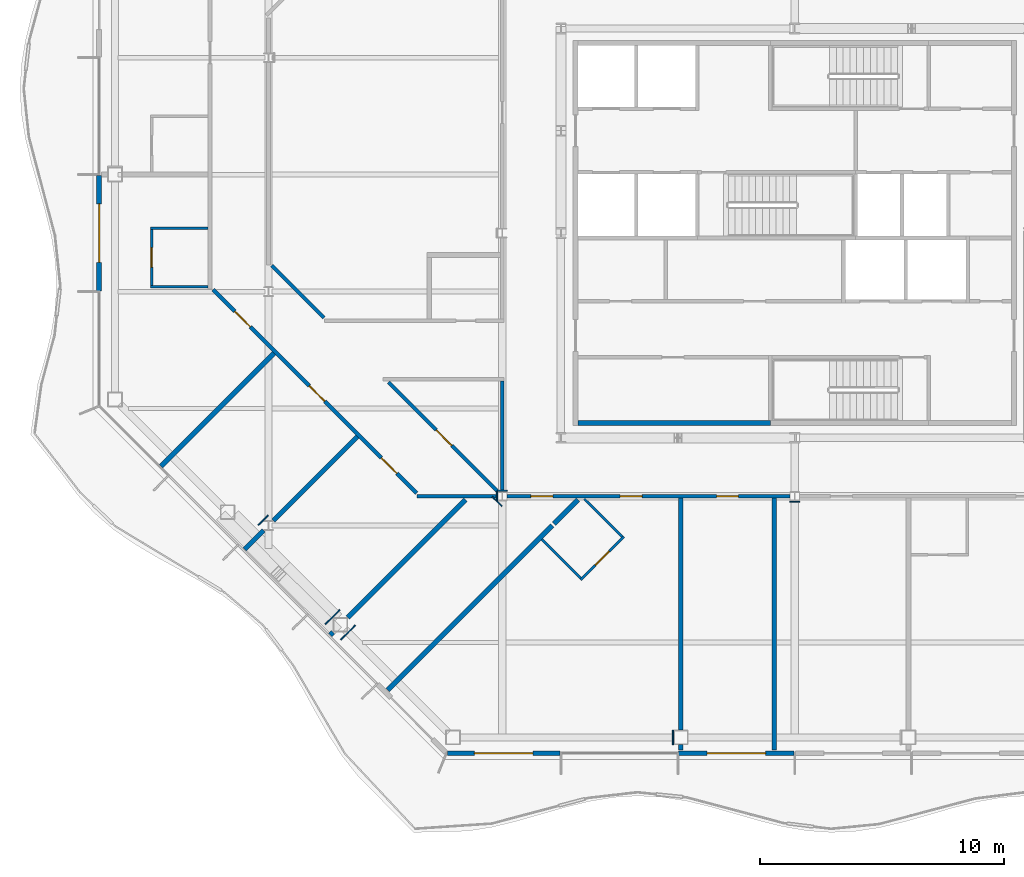
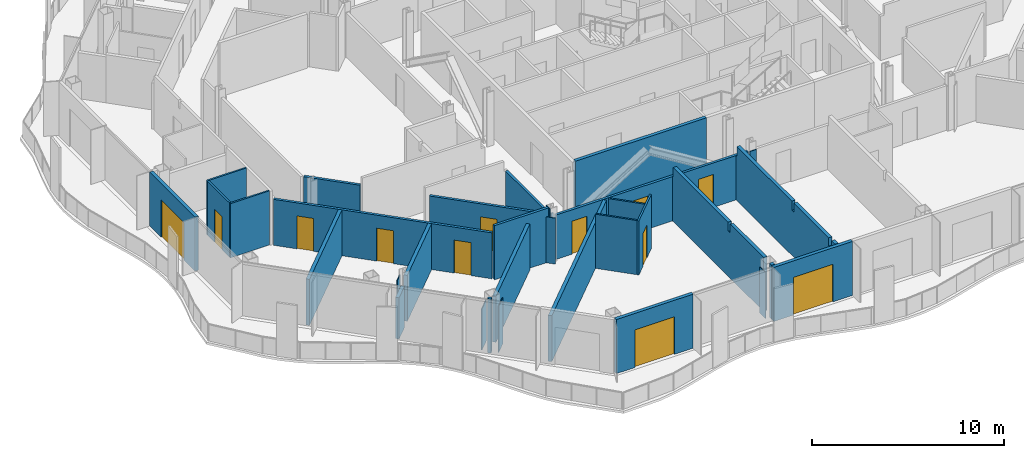
# One storey, part 7 of 21: 34 walls, 12 doors, 12 openings.
"""IFC4 building model written with IfcOpenShell, lengths in metres."""

from ifc_helpers import new_model, si_unit, direction, frame, frame_2d, origin, place, context, subcontext, project, spatial, polyline, rectangle, outline, extrude, material, layer, layer_set, type_object, element, fill, save


model = new_model("IFC4")

# Units and contexts
model_context = context("Model", 3, precision=1e-05, world=origin(), true_north=direction((0.0, 1.0)))
body_context = subcontext(model_context, "Body", "Model", "MODEL_VIEW")
ifc_project = project(units=[si_unit("LENGTHUNIT", "METRE"), si_unit("AREAUNIT", "SQUARE_METRE"), si_unit("VOLUMEUNIT", "CUBIC_METRE"), si_unit("PLANEANGLEUNIT", "RADIAN"), si_unit("MASSUNIT", "GRAM", prefix="KILO")], contexts=[model_context])

# Site, building, storey
site_placement = place(None, origin())
site = spatial("IfcSite", under=ifc_project, at=site_placement, CompositionType="ELEMENT")
building_placement = place(site_placement, origin())
building = spatial("IfcBuilding", under=site, at=building_placement, Name="Cairn Pilgrim Tower", CompositionType="ELEMENT")
storey_placement = place(building_placement, frame((0.0, 0.0, 168.60009765625)))
storey = spatial("IfcBuildingStorey", under=building, at=storey_placement, Name="L42", CompositionType="ELEMENT", Elevation=168.60009765625)

# Wall, opening, door
ifc_material_1 = material(Name="Bronze anodised aluminium insulated sandwich panel with mineral wool fill", Category="aluminium")
ifc_layer_1 = layer(ifc_material_1, 0.199951171875)
ifc_layer_set_1 = layer_set([ifc_layer_1], Name="BRONZE INFILL FRAME WALL 200")
wall_type_1 = type_object("IfcWallType", Name="BRONZE INFILL FRAME WALL 200", PredefinedType="NOTDEFINED", material=ifc_layer_set_1)
wall_1_placement = place(storey_placement, frame((-7.056396484375, -18.949951171875, 0.0), z_axis=(0.0, 0.0, 1.0), x_axis=(1.0, 0.0, 0.0)))
wall_1 = element("IfcWall", 1, at=wall_1_placement, inside=storey, type_object=wall_type_1, Name="Bronze infill frame wall IW-S1", PredefinedType="NOTDEFINED", context=body_context, shape_type="SweptSolid", body=[
    extrude(rectangle(XDim=4.62646484375, YDim=0.199951171875, at=frame_2d((2.313232421875, 0.0))), origin(), (0.0, 0.0, 1.0), 3.449951171875),
])
opening_1_placement = place(wall_1_placement, frame((1.1083984375, 0.0, 0.0)))
opening_1 = element("IfcOpeningElement", 2, at=opening_1_placement, cuts=wall_1, Name="Opening 4223B", PredefinedType="OPENING", context=body_context, shape_type="SweptSolid", body=[
    extrude(rectangle(XDim=2.39990234375, YDim=2.39990234375, at=frame_2d((1.199951171875, 1.199951171875))), frame((0.0, 0.10986328125, 0.0), z_axis=(0.0, -1.0, 0.0), x_axis=(1.0, 0.0, 0.0)), (0.0, 0.0, 1.0), 0.219970703125),
])
ifc_material_2 = material(Name="Bronze anodised aluminium frame with tinted low-E glass", Category="aluminium")
door_type_1 = type_object("IfcDoorType", Name="BALCONY SLIDING DOOR 2400x2400", OperationType="DOUBLE_DOOR_SLIDING", PredefinedType="DOOR", material=ifc_material_2)
door_1_placement = place(opening_1_placement, origin())
door_1 = element("IfcDoor", 3, at=door_1_placement, inside=storey, type_object=door_type_1, Name="Balcony sliding door 4223B", OperationType="SINGLE_SWING_LEFT", OverallHeight=2.39990234375, OverallWidth=2.39990234375, PredefinedType="DOOR", context=body_context, shape_type="SweptSolid", body=[
    extrude(rectangle(XDim=2.39990234375, YDim=2.39990234375, at=frame_2d((1.199951171875, 1.199951171875))), frame((0.0, 0.02490234375, 0.0), z_axis=(0.0, -1.0, 0.0), x_axis=(1.0, 0.0, 0.0)), (0.0, 0.0, 1.0), 0.050048828125),
])
fill(opening_1, door_1)

wall_2_placement = place(storey_placement, frame((2.429931640625, -18.949951171875, 0.0), z_axis=(0.0, 0.0, 1.0), x_axis=(1.0, 0.0, 0.0)))
wall_2 = element("IfcWall", 4, at=wall_2_placement, inside=storey, type_object=wall_type_1, Name="Bronze infill frame wall IW-S3", PredefinedType="NOTDEFINED", context=body_context, shape_type="SweptSolid", body=[
    extrude(rectangle(XDim=4.739990234375, YDim=0.199951171875, at=frame_2d((2.3701171875, 0.0))), origin(), (0.0, 0.0, 1.0), 3.449951171875),
])
opening_2_placement = place(wall_2_placement, frame((1.17041015625, 0.0, 0.0)))
opening_2 = element("IfcOpeningElement", 5, at=opening_2_placement, cuts=wall_2, Name="Opening 4224B", PredefinedType="OPENING", context=body_context, shape_type="SweptSolid", body=[
    extrude(rectangle(XDim=2.39990234375, YDim=2.39990234375, at=frame_2d((1.199951171875, 1.199951171875))), frame((0.0, 0.10986328125, 0.0), z_axis=(0.0, -1.0, 0.0), x_axis=(1.0, 0.0, 0.0)), (0.0, 0.0, 1.0), 0.219970703125),
])
door_2_placement = place(opening_2_placement, origin())
door_2 = element("IfcDoor", 6, at=door_2_placement, inside=storey, type_object=door_type_1, Name="Balcony sliding door 4224B", OperationType="SINGLE_SWING_LEFT", OverallHeight=2.39990234375, OverallWidth=2.39990234375, PredefinedType="DOOR", context=body_context, shape_type="SweptSolid", body=[
    extrude(rectangle(XDim=2.39990234375, YDim=2.39990234375, at=frame_2d((1.199951171875, 1.199951171875))), frame((0.0, 0.02490234375, 0.0), z_axis=(0.0, -1.0, 0.0), x_axis=(1.0, 0.0, 0.0)), (0.0, 0.0, 1.0), 0.050048828125),
])
fill(opening_2, door_2)

wall_3_placement = place(storey_placement, frame((-21.35009765625, 4.77001953125, 0.0), z_axis=(0.0, 0.0, 1.0), x_axis=(0.0, -1.0, 0.0)))
wall_3 = element("IfcWall", 7, at=wall_3_placement, inside=storey, type_object=wall_type_1, Name="Bronze infill frame wall IW-W3", PredefinedType="NOTDEFINED", context=body_context, shape_type="SweptSolid", body=[
    extrude(rectangle(XDim=4.739990234375, YDim=0.199951171875, at=frame_2d((2.3701171875, 0.0))), origin(), (0.0, 0.0, 1.0), 3.449951171875),
])
opening_3_placement = place(wall_3_placement, frame((1.169921875, 0.0, 0.0)))
opening_3 = element("IfcOpeningElement", 8, at=opening_3_placement, cuts=wall_3, Name="Opening 4219B", PredefinedType="OPENING", context=body_context, shape_type="SweptSolid", body=[
    extrude(rectangle(XDim=2.39990234375, YDim=2.39990234375, at=frame_2d((1.199951171875, 1.199951171875))), frame((0.0, 0.10986328125, 0.0), z_axis=(0.0, -1.0, 0.0), x_axis=(1.0, 0.0, 0.0)), (0.0, 0.0, 1.0), 0.219970703125),
])
door_3_placement = place(opening_3_placement, origin())
door_3 = element("IfcDoor", 9, at=door_3_placement, inside=storey, type_object=door_type_1, Name="Balcony sliding door 4219B", OperationType="SINGLE_SWING_LEFT", OverallHeight=2.39990234375, OverallWidth=2.39990234375, PredefinedType="DOOR", context=body_context, shape_type="SweptSolid", body=[
    extrude(rectangle(XDim=2.39990234375, YDim=2.39990234375, at=frame_2d((1.199951171875, 1.199951171875))), frame((0.0, 0.02490234375, 0.0), z_axis=(0.0, -1.0, 0.0), x_axis=(1.0, 0.0, 0.0)), (0.0, 0.0, 1.0), 0.050048828125),
])
fill(opening_3, door_3)

# Walls
ifc_material_3 = material(Name="Concrete C32/40", Category="concrete")
ifc_layer_2 = layer(ifc_material_3, 0.199951171875)
ifc_layer_set_2 = layer_set([ifc_layer_2], Name="CORE OUTER WALL 200 EI 120")
wall_type_2 = type_object("IfcWallType", Name="CORE OUTER WALL 200 EI 120", PredefinedType="SOLIDWALL", material=ifc_layer_set_2)
wall_4_placement = place(storey_placement, frame((-1.699951171875, -5.39990234375, 0.0), z_axis=(0.0, 0.0, 1.0), x_axis=(1.0, 0.0, 0.0)))
element("IfcWall", 10, at=wall_4_placement, inside=storey, type_object=wall_type_2, Name="CW:L42:H01-1", PredefinedType="SOLIDWALL", context=body_context, shape_type="SweptSolid", body=[
    extrude(rectangle(XDim=7.89990234375, YDim=0.199951171875, at=frame_2d((3.949951171875, 0.0))), origin(), (0.0, 0.0, 1.0), 3.449951171875),
])
ifc_material_4 = material(Name="Gypsum partition")
ifc_layer_3 = layer(ifc_material_4, 0.10009765625)
ifc_layer_set_3 = layer_set([ifc_layer_3], Name="PARTITION 100 DRYWALL")
wall_type_3 = type_object("IfcWallType", Name="PARTITION 100 DRYWALL", PredefinedType="PARTITIONING", material=ifc_layer_set_3)
wall_5_placement = place(storey_placement, frame((-1.58740234375, -11.758544921875, 0.0), z_axis=(0.0, 0.0, 1.0), x_axis=(-0.706889644159, 0.707323851557, 0.0)))
element("IfcWall", 11, at=wall_5_placement, inside=storey, type_object=wall_type_3, Name="PARTITION W011", PredefinedType="PARTITIONING", context=body_context, shape_type="SweptSolid", body=[
    extrude(rectangle(XDim=2.2490234375, YDim=0.10009765625, at=frame_2d((1.12451171875, 0.0))), origin(), (0.0, 0.0, 1.0), 3.449951171875),
])

# Wall, opening, door
wall_6_placement = place(storey_placement, frame((-1.58740234375, -11.829345703125, 0.0), z_axis=(0.0, 0.0, 1.0), x_axis=(0.707350821469, 0.706862656651, 0.0)))
wall_6 = element("IfcWall", 12, at=wall_6_placement, inside=storey, type_object=wall_type_3, Name="PARTITION W012", PredefinedType="PARTITIONING", context=body_context, shape_type="SweptSolid", body=[
    extrude(rectangle(XDim=2.50048828125, YDim=0.10009765625, at=frame_2d((1.250244140625, 0.0))), origin(), (0.0, 0.0, 1.0), 3.449951171875),
])
opening_4_placement = place(wall_6_placement, frame((0.85009765625, 0.0, 0.0)))
opening_4 = element("IfcOpeningElement", 13, at=opening_4_placement, cuts=wall_6, Name="Opening 4223A", PredefinedType="OPENING", context=body_context, shape_type="SweptSolid", body=[
    extrude(rectangle(XDim=0.800048828125, YDim=2.10009765625, at=frame_2d((0.39990234375, 1.050048828125))), frame((0.0, 0.06005859375, 0.0), z_axis=(0.0, -1.0, 0.0), x_axis=(1.0, 0.0, 0.0)), (0.0, 0.0, 1.0), 0.1201171875),
])
ifc_material_5 = material(Name="Timber door leaf", Category="wood")
door_type_2 = type_object("IfcDoorType", Name="WC DOOR 800x2100", OperationType="NOTDEFINED", PredefinedType="DOOR", material=ifc_material_5)
door_4_placement = place(opening_4_placement, frame((0.800048828125, 0.0, 0.0), z_axis=(0.0, 0.0, 1.0), x_axis=(-1.0, 0.0, 0.0)))
door_4 = element("IfcDoor", 14, at=door_4_placement, inside=storey, type_object=door_type_2, Name="DOOR 4223A", OperationType="SINGLE_SWING_RIGHT", OverallHeight=2.10009765625, OverallWidth=0.800048828125, PredefinedType="DOOR", context=body_context, shape_type="SweptSolid", body=[
    extrude(rectangle(XDim=0.800048828125, YDim=2.10009765625, at=frame_2d((0.39990234375, 1.050048828125))), frame((0.0, 0.02490234375, 0.0), z_axis=(0.0, -1.0, 0.0), x_axis=(1.0, 0.0, 0.0)), (0.0, 0.0, 1.0), 0.050048828125),
])
fill(opening_4, door_4)

# Walls
wall_7_placement = place(storey_placement, frame((0.110595703125, -10.0615234375, 0.0), z_axis=(0.0, 0.0, 1.0), x_axis=(-0.70732924673, 0.706884245631, 0.0)))
element("IfcWall", 15, at=wall_7_placement, inside=storey, type_object=wall_type_3, Name="PARTITION W017", PredefinedType="PARTITIONING", context=body_context, shape_type="SweptSolid", body=[
    extrude(rectangle(XDim=2.194580078125, YDim=0.10009765625, at=frame_2d((1.09716796875, 0.0))), origin(), (0.0, 0.0, 1.0), 2.829833984375),
])
wall_8_placement = place(storey_placement, frame((-19.25, 0.2060546875, 0.0), z_axis=(0.0, 0.0, 1.0), x_axis=(1.0, 0.0, 0.0)))
element("IfcWall", 16, at=wall_8_placement, inside=storey, type_object=wall_type_3, Name="PARTITION W045", PredefinedType="PARTITIONING", context=body_context, shape_type="SweptSolid", body=[
    extrude(rectangle(XDim=2.375, YDim=0.10009765625, at=frame_2d((1.1875, 0.0))), origin(), (0.0, 0.0, 1.0), 3.449951171875),
])

# Wall, opening, door
wall_9_placement = place(storey_placement, frame((-19.199951171875, 0.256103515625, 0.0), z_axis=(0.0, 0.0, 1.0), x_axis=(0.0, 1.0, 0.0)))
wall_9 = element("IfcWall", 17, at=wall_9_placement, inside=storey, type_object=wall_type_3, Name="PARTITION W046", PredefinedType="PARTITIONING", context=body_context, shape_type="SweptSolid", body=[
    extrude(rectangle(XDim=2.2998046875, YDim=0.10009765625, at=frame_2d((1.14990234375, 0.0))), origin(), (0.0, 0.0, 1.0), 3.449951171875),
])
opening_5_placement = place(wall_9_placement, frame((0.75, 0.0, 0.0)))
opening_5 = element("IfcOpeningElement", 18, at=opening_5_placement, cuts=wall_9, Name="Opening 4219A", PredefinedType="OPENING", context=body_context, shape_type="SweptSolid", body=[
    extrude(rectangle(XDim=0.800048828125, YDim=2.10009765625, at=frame_2d((0.39990234375, 1.050048828125))), frame((0.0, 0.06005859375, 0.0), z_axis=(0.0, -1.0, 0.0), x_axis=(1.0, 0.0, 0.0)), (0.0, 0.0, 1.0), 0.1201171875),
])
door_5_placement = place(opening_5_placement, origin())
door_5 = element("IfcDoor", 19, at=door_5_placement, inside=storey, type_object=door_type_2, Name="DOOR 4219A", OperationType="SINGLE_SWING_LEFT", OverallHeight=2.10009765625, OverallWidth=0.800048828125, PredefinedType="DOOR", context=body_context, shape_type="SweptSolid", body=[
    extrude(rectangle(XDim=0.800048828125, YDim=2.10009765625, at=frame_2d((0.39990234375, 1.050048828125))), frame((0.0, 0.02490234375, 0.0), z_axis=(0.0, -1.0, 0.0), x_axis=(1.0, 0.0, 0.0)), (0.0, 0.0, 1.0), 0.050048828125),
])
fill(opening_5, door_5)

# Walls
wall_10_placement = place(storey_placement, frame((-19.25, 2.60595703125, 0.0), z_axis=(0.0, 0.0, 1.0), x_axis=(1.0, 0.0, 0.0)))
element("IfcWall", 20, at=wall_10_placement, inside=storey, type_object=wall_type_3, Name="PARTITION W053", PredefinedType="PARTITIONING", context=body_context, shape_type="SweptSolid", body=[
    extrude(rectangle(XDim=2.375, YDim=0.10009765625, at=frame_2d((1.1875, 0.0))), origin(), (0.0, 0.0, 1.0), 3.449951171875),
])
ifc_layer_4 = layer(ifc_material_4, 0.14990234375)
ifc_layer_set_4 = layer_set([ifc_layer_4], Name="PARTITION 150 DRYWALL EI 60")
wall_type_4 = type_object("IfcWallType", Name="PARTITION 150 DRYWALL EI 60", PredefinedType="PARTITIONING", material=ifc_layer_set_4)
wall_11_placement = place(storey_placement, frame((-8.300048828125, -8.39990234375, 0.0), z_axis=(0.0, 0.0, 1.0), x_axis=(1.0, 0.0, 0.0)))
element("IfcWall", 21, at=wall_11_placement, inside=storey, type_object=wall_type_4, Name="PARTITION W022", PredefinedType="PARTITIONING", context=body_context, shape_type="SweptSolid", body=[
    extrude(rectangle(XDim=3.300537109375, YDim=0.14990234375, at=frame_2d((1.650390625, 0.0))), origin(), (0.0, 0.0, 1.0), 3.449951171875),
])

# Wall, openings, doors
wall_12_placement = place(storey_placement, frame((-4.6005859375, -8.39990234375, 0.0), z_axis=(0.0, 0.0, 1.0), x_axis=(1.0, 0.0, 0.0)))
wall_12 = element("IfcWall", 22, at=wall_12_placement, inside=storey, type_object=wall_type_4, Name="PARTITION W023", PredefinedType="PARTITIONING", context=body_context, shape_type="SweptSolid", body=[
    extrude(rectangle(XDim=11.60107421875, YDim=0.14990234375, at=frame_2d((5.800537109375, 0.0))), origin(), (0.0, 0.0, 1.0), 2.829833984375),
])
opening_6_placement = place(wall_12_placement, frame((0.974365234375, 0.0, 0.0)))
opening_6 = element("IfcOpeningElement", 23, at=opening_6_placement, cuts=wall_12, Name="Opening 4222", PredefinedType="OPENING", context=body_context, shape_type="SweptSolid", body=[
    extrude(rectangle(XDim=0.89990234375, YDim=2.10009765625, at=frame_2d((0.449951171875, 1.050048828125))), frame((0.0, 0.0849609375, 0.0), z_axis=(0.0, -1.0, 0.0), x_axis=(1.0, 0.0, 0.0)), (0.0, 0.0, 1.0), 0.169921875),
])
opening_7_placement = place(wall_12_placement, frame((4.636474609375, 0.0, 0.0)))
opening_7 = element("IfcOpeningElement", 24, at=opening_7_placement, cuts=wall_12, Name="Opening 4223", PredefinedType="OPENING", context=body_context, shape_type="SweptSolid", body=[
    extrude(rectangle(XDim=0.89990234375, YDim=2.10009765625, at=frame_2d((0.449951171875, 1.050048828125))), frame((0.0, 0.0849609375, 0.0), z_axis=(0.0, -1.0, 0.0), x_axis=(1.0, 0.0, 0.0)), (0.0, 0.0, 1.0), 0.169921875),
])
opening_8_placement = place(wall_12_placement, frame((8.591552734375, 0.0, 0.0)))
opening_8 = element("IfcOpeningElement", 25, at=opening_8_placement, cuts=wall_12, Name="Opening 4224", PredefinedType="OPENING", context=body_context, shape_type="SweptSolid", body=[
    extrude(rectangle(XDim=0.89990234375, YDim=2.10009765625, at=frame_2d((0.449951171875, 1.050048828125))), frame((0.0, 0.0849609375, 0.0), z_axis=(0.0, -1.0, 0.0), x_axis=(1.0, 0.0, 0.0)), (0.0, 0.0, 1.0), 0.169921875),
])
door_type_3 = type_object("IfcDoorType", Name="ROOM DOOR 900x2100 FD30S", OperationType="NOTDEFINED", PredefinedType="DOOR", material=ifc_material_5)
door_6_placement = place(opening_7_placement, frame((0.89990234375, 0.0, 0.0), z_axis=(0.0, 0.0, 1.0), x_axis=(-1.0, 0.0, 0.0)))
door_6 = element("IfcDoor", 26, at=door_6_placement, inside=storey, type_object=door_type_3, Name="DOOR 4223", OperationType="SINGLE_SWING_RIGHT", OverallHeight=2.10009765625, OverallWidth=0.89990234375, PredefinedType="DOOR", context=body_context, shape_type="SweptSolid", body=[
    extrude(rectangle(XDim=0.89990234375, YDim=2.10009765625, at=frame_2d((0.449951171875, 1.050048828125))), frame((0.0, 0.02490234375, 0.0), z_axis=(0.0, -1.0, 0.0), x_axis=(1.0, 0.0, 0.0)), (0.0, 0.0, 1.0), 0.050048828125),
])
fill(opening_7, door_6)
door_7_placement = place(opening_8_placement, frame((0.89990234375, 0.0, 0.0), z_axis=(0.0, 0.0, 1.0), x_axis=(-1.0, 0.0, 0.0)))
door_7 = element("IfcDoor", 27, at=door_7_placement, inside=storey, type_object=door_type_3, Name="DOOR 4224", OperationType="SINGLE_SWING_RIGHT", OverallHeight=2.10009765625, OverallWidth=0.89990234375, PredefinedType="DOOR", context=body_context, shape_type="SweptSolid", body=[
    extrude(rectangle(XDim=0.89990234375, YDim=2.10009765625, at=frame_2d((0.449951171875, 1.050048828125))), frame((0.0, 0.02490234375, 0.0), z_axis=(0.0, -1.0, 0.0), x_axis=(1.0, 0.0, 0.0)), (0.0, 0.0, 1.0), 0.050048828125),
])
fill(opening_8, door_7)
door_type_4 = type_object("IfcDoorType", Name="SERVICE DOOR 900x2100 FD30S", OperationType="NOTDEFINED", PredefinedType="DOOR", material=ifc_material_5)
door_8_placement = place(opening_6_placement, frame((0.89990234375, 0.0, 0.0), z_axis=(0.0, 0.0, 1.0), x_axis=(-1.0, 0.0, 0.0)))
door_8 = element("IfcDoor", 28, at=door_8_placement, inside=storey, type_object=door_type_4, Name="DOOR 4222", OperationType="SINGLE_SWING_RIGHT", OverallHeight=2.10009765625, OverallWidth=0.89990234375, PredefinedType="DOOR", context=body_context, shape_type="SweptSolid", body=[
    extrude(rectangle(XDim=0.89990234375, YDim=2.10009765625, at=frame_2d((0.449951171875, 1.050048828125))), frame((0.0, 0.02490234375, 0.0), z_axis=(0.0, -1.0, 0.0), x_axis=(1.0, 0.0, 0.0)), (0.0, 0.0, 1.0), 0.050048828125),
])
fill(opening_6, door_8)

wall_13_placement = place(storey_placement, frame((-8.322021484375, -8.27197265625, 0.0), z_axis=(0.0, 0.0, 1.0), x_axis=(-0.707117118476, 0.707096443746, 0.0)))
wall_13 = element("IfcWall", 29, at=wall_13_placement, inside=storey, type_object=wall_type_4, Name="PARTITION W026", PredefinedType="PARTITIONING", context=body_context, shape_type="SweptSolid", body=[
    extrude(rectangle(XDim=11.80859375, YDim=0.14990234375, at=frame_2d((5.904296875, 0.0))), origin(), (0.0, 0.0, 1.0), 2.929931640625),
])
opening_9_placement = place(wall_13_placement, frame((9.64501953125, 0.0, 0.0)))
opening_9 = element("IfcOpeningElement", 30, at=opening_9_placement, cuts=wall_13, Name="Opening 4219", PredefinedType="OPENING", context=body_context, shape_type="SweptSolid", body=[
    extrude(rectangle(XDim=0.89990234375, YDim=2.10009765625, at=frame_2d((0.449951171875, 1.050048828125))), frame((0.0, 0.0849609375, 0.0), z_axis=(0.0, -1.0, 0.0), x_axis=(1.0, 0.0, 0.0)), (0.0, 0.0, 1.0), 0.169921875),
])
opening_10_placement = place(wall_13_placement, frame((5.32958984375, 0.0, 0.0)))
opening_10 = element("IfcOpeningElement", 31, at=opening_10_placement, cuts=wall_13, Name="Opening 4220", PredefinedType="OPENING", context=body_context, shape_type="SweptSolid", body=[
    extrude(rectangle(XDim=0.89990234375, YDim=2.10009765625, at=frame_2d((0.449951171875, 1.050048828125))), frame((0.0, 0.0849609375, 0.0), z_axis=(0.0, -1.0, 0.0), x_axis=(1.0, 0.0, 0.0)), (0.0, 0.0, 1.0), 0.169921875),
])
opening_11_placement = place(wall_13_placement, frame((1.138916015625, 0.0, 0.0)))
opening_11 = element("IfcOpeningElement", 32, at=opening_11_placement, cuts=wall_13, Name="Opening 4221", PredefinedType="OPENING", context=body_context, shape_type="SweptSolid", body=[
    extrude(rectangle(XDim=0.89990234375, YDim=2.10009765625, at=frame_2d((0.449951171875, 1.050048828125))), frame((0.0, 0.0849609375, 0.0), z_axis=(0.0, -1.0, 0.0), x_axis=(1.0, 0.0, 0.0)), (0.0, 0.0, 1.0), 0.169921875),
])
door_9_placement = place(opening_9_placement, origin())
door_9 = element("IfcDoor", 33, at=door_9_placement, inside=storey, type_object=door_type_3, Name="DOOR 4219", OperationType="SINGLE_SWING_LEFT", OverallHeight=2.10009765625, OverallWidth=0.89990234375, PredefinedType="DOOR", context=body_context, shape_type="SweptSolid", body=[
    extrude(rectangle(XDim=0.89990234375, YDim=2.10009765625, at=frame_2d((0.449951171875, 1.050048828125))), frame((0.0, 0.02490234375, 0.0), z_axis=(0.0, -1.0, 0.0), x_axis=(1.0, 0.0, 0.0)), (0.0, 0.0, 1.0), 0.050048828125),
])
fill(opening_9, door_9)
door_10_placement = place(opening_10_placement, origin())
door_10 = element("IfcDoor", 34, at=door_10_placement, inside=storey, type_object=door_type_4, Name="DOOR 4220", OperationType="SINGLE_SWING_RIGHT", OverallHeight=2.10009765625, OverallWidth=0.89990234375, PredefinedType="DOOR", context=body_context, shape_type="SweptSolid", body=[
    extrude(rectangle(XDim=0.89990234375, YDim=2.10009765625, at=frame_2d((0.449951171875, 1.050048828125))), frame((0.0, 0.02490234375, 0.0), z_axis=(0.0, -1.0, 0.0), x_axis=(1.0, 0.0, 0.0)), (0.0, 0.0, 1.0), 0.050048828125),
])
fill(opening_10, door_10)
door_11_placement = place(opening_11_placement, origin())
door_11 = element("IfcDoor", 35, at=door_11_placement, inside=storey, type_object=door_type_4, Name="DOOR 4221", OperationType="SINGLE_SWING_RIGHT", OverallHeight=2.10009765625, OverallWidth=0.89990234375, PredefinedType="DOOR", context=body_context, shape_type="SweptSolid", body=[
    extrude(rectangle(XDim=0.89990234375, YDim=2.10009765625, at=frame_2d((0.449951171875, 1.050048828125))), frame((0.0, 0.02490234375, 0.0), z_axis=(0.0, -1.0, 0.0), x_axis=(1.0, 0.0, 0.0)), (0.0, 0.0, 1.0), 0.050048828125),
])
fill(opening_11, door_11)

# Wall, opening, door
wall_14_placement = place(storey_placement, frame((-4.998046875, -8.201904296875, 0.0), z_axis=(0.0, 0.0, 1.0), x_axis=(-0.707106781187, 0.707106781187, 0.0)))
wall_14 = element("IfcWall", 36, at=wall_14_placement, inside=storey, type_object=wall_type_4, Name="PARTITION W028", PredefinedType="PARTITIONING", context=body_context, shape_type="SweptSolid", body=[
    extrude(rectangle(XDim=6.326904296875, YDim=0.14990234375, at=frame_2d((3.16357421875, 0.0))), origin(), (0.0, 0.0, 1.0), 2.929931640625),
])
opening_12_placement = place(wall_14_placement, frame((2.664306640625, 0.0, 0.0)))
opening_12 = element("IfcOpeningElement", 37, at=opening_12_placement, cuts=wall_14, Name="Opening 4236", PredefinedType="OPENING", context=body_context, shape_type="SweptSolid", body=[
    extrude(rectangle(XDim=0.89990234375, YDim=2.10009765625, at=frame_2d((0.449951171875, 1.050048828125))), frame((0.0, 0.0849609375, 0.0), z_axis=(0.0, -1.0, 0.0), x_axis=(1.0, 0.0, 0.0)), (0.0, 0.0, 1.0), 0.169921875),
])
door_12_placement = place(opening_12_placement, frame((0.89990234375, 0.0, 0.0), z_axis=(0.0, 0.0, 1.0), x_axis=(-1.0, 0.0, 0.0)))
door_12 = element("IfcDoor", 38, at=door_12_placement, inside=storey, type_object=door_type_4, Name="DOOR 4236", OperationType="SINGLE_SWING_LEFT", OverallHeight=2.10009765625, OverallWidth=0.89990234375, PredefinedType="DOOR", context=body_context, shape_type="SweptSolid", body=[
    extrude(rectangle(XDim=0.89990234375, YDim=2.10009765625, at=frame_2d((0.449951171875, 1.050048828125))), frame((0.0, 0.02490234375, 0.0), z_axis=(0.0, -1.0, 0.0), x_axis=(1.0, 0.0, 0.0)), (0.0, 0.0, 1.0), 0.050048828125),
])
fill(opening_12, door_12)

# Walls
wall_15_placement = place(storey_placement, frame((-4.800048828125, -8.20361328125, 0.0), z_axis=(0.0, 0.0, 1.0), x_axis=(0.0, 1.0, 0.0)))
element("IfcWall", 39, at=wall_15_placement, inside=storey, type_object=wall_type_4, Name="PARTITION W029", PredefinedType="PARTITIONING", context=body_context, shape_type="SweptSolid", body=[
    extrude(rectangle(XDim=4.528564453125, YDim=0.14990234375, at=frame_2d((2.26416015625, 0.0))), origin(), (0.0, 0.0, 1.0), 2.829833984375),
])
wall_16_placement = place(storey_placement, frame((-12.1279296875, -1.072021484375, 0.0), z_axis=(0.0, 0.0, 1.0), x_axis=(-0.707106781187, 0.707106781187, 0.0)))
element("IfcWall", 40, at=wall_16_placement, inside=storey, type_object=wall_type_4, Name="PARTITION W038", PredefinedType="PARTITIONING", context=body_context, shape_type="SweptSolid", body=[
    extrude(rectangle(XDim=3.0322265625, YDim=0.14990234375, at=frame_2d((1.51611328125, 0.0))), origin(), (0.0, 0.0, 1.0), 2.929931640625),
])
ifc_layer_5 = layer(ifc_material_4, 0.050048828125)
ifc_layer_set_5 = layer_set([ifc_layer_5], Name="PARTITION 50 DRYWALL EI 60")
wall_type_5 = type_object("IfcWallType", Name="PARTITION 50 DRYWALL EI 60", PredefinedType="PARTITIONING", material=ifc_layer_set_5)
wall_17_placement = place(storey_placement, frame((2.19921875, -18.60009765625, 0.0), z_axis=(0.0, 0.0, 1.0), x_axis=(0.0, 1.0, 0.0)))
element("IfcWall", 41, at=wall_17_placement, inside=storey, type_object=wall_type_5, Name="COLUMN CASING WC01", PredefinedType="PARTITIONING", context=body_context, shape_type="SweptSolid", body=[
    extrude(rectangle(XDim=0.60009765625, YDim=0.050048828125, at=frame_2d((0.300048828125, 0.0))), origin(), (0.0, 0.0, 1.0), 2.929931640625),
])
wall_18_placement = place(storey_placement, frame((-12.069091796875, -13.657958984375, 0.0), z_axis=(0.0, 0.0, 1.0), x_axis=(0.707106781187, 0.707106781187, 0.0)))
element("IfcWall", 42, at=wall_18_placement, inside=storey, type_object=wall_type_5, Name="COLUMN CASING WC03", PredefinedType="PARTITIONING", context=body_context, shape_type="SweptSolid", body=[
    extrude(rectangle(XDim=0.848388671875, YDim=0.050048828125, at=frame_2d((0.42431640625, 0.0))), origin(), (0.0, 0.0, 1.0), 2.6298828125),
])
wall_19_placement = place(storey_placement, frame((-11.433837890625, -14.29345703125, 0.0), z_axis=(0.0, 0.0, 1.0), x_axis=(0.707106781187, 0.707106781187, 0.0)))
element("IfcWall", 43, at=wall_19_placement, inside=storey, type_object=wall_type_5, Name="COLUMN CASING WC04", PredefinedType="PARTITIONING", context=body_context, shape_type="SweptSolid", body=[
    extrude(rectangle(XDim=0.8486328125, YDim=0.050048828125, at=frame_2d((0.42431640625, 0.0))), origin(), (0.0, 0.0, 1.0), 2.929931640625),
])
wall_20_placement = place(storey_placement, frame((-14.813720703125, -9.582275390625, 0.0), z_axis=(0.0, 0.0, 1.0), x_axis=(0.707106781187, 0.707106781187, 0.0)))
element("IfcWall", 44, at=wall_20_placement, inside=storey, type_object=wall_type_5, Name="COLUMN CASING WC07", PredefinedType="PARTITIONING", context=body_context, shape_type="SweptSolid", body=[
    extrude(rectangle(XDim=0.56005859375, YDim=0.050048828125, at=frame_2d((0.280029296875, 0.0))), origin(), (0.0, 0.0, 1.0), 2.929931640625),
])
wall_21_placement = place(storey_placement, frame((-4.99951171875, -8.178466796875, 0.0), z_axis=(0.0, 0.0, 1.0), x_axis=(1.0, 0.0, 0.0)))
element("IfcWall", 45, at=wall_21_placement, inside=storey, type_object=wall_type_5, Name="COLUMN CASING WC10", PredefinedType="PARTITIONING", context=body_context, shape_type="SweptSolid", body=[
    extrude(rectangle(XDim=0.39892578125, YDim=0.050048828125, at=frame_2d((0.199462890625, 0.0))), origin(), (0.0, 0.0, 1.0), 2.829833984375),
])
wall_22_placement = place(storey_placement, frame((7.00048828125, -8.62158203125, 0.0), z_axis=(0.0, 0.0, 1.0), x_axis=(1.0, 0.0, 0.0)))
element("IfcWall", 46, at=wall_22_placement, inside=storey, type_object=wall_type_5, Name="COLUMN CASING WC11", PredefinedType="PARTITIONING", context=body_context, shape_type="SweptSolid", body=[
    extrude(rectangle(XDim=0.39892578125, YDim=0.050048828125, at=frame_2d((0.199462890625, 0.0))), origin(), (0.0, 0.0, 1.0), 2.929931640625),
])
wall_23_placement = place(storey_placement, frame((-4.817626953125, -8.813720703125, 0.0), z_axis=(0.0, 0.0, 1.0), x_axis=(-0.707106781187, 0.707106781187, 0.0)))
element("IfcWall", 47, at=wall_23_placement, inside=storey, type_object=wall_type_5, Name="COLUMN CASING WC13", PredefinedType="PARTITIONING", context=body_context, shape_type="SweptSolid", body=[
    extrude(rectangle(XDim=0.56005859375, YDim=0.050048828125, at=frame_2d((0.280029296875, 0.0))), origin(), (0.0, 0.0, 1.0), 2.929931640625),
])
wall_24_placement = place(storey_placement, frame((-5.0244140625, -8.596435546875, 0.0), z_axis=(0.0, 0.0, 1.0), x_axis=(0.0, 1.0, 0.0)))
element("IfcWall", 48, at=wall_24_placement, inside=storey, type_object=wall_type_5, Name="COLUMN CASING WC14", PredefinedType="PARTITIONING", context=body_context, shape_type="SweptSolid", body=[
    extrude(rectangle(XDim=0.392822265625, YDim=0.050048828125, at=frame_2d((0.1962890625, 0.0))), origin(), (0.0, 0.0, 1.0), 3.449951171875),
])
ifc_layer_6 = layer(ifc_material_4, 0.199951171875)
ifc_layer_set_6 = layer_set([ifc_layer_6], Name="SHAFT WALL 200 GYPSUM EI 60")
wall_type_6 = type_object("IfcWallType", Name="SHAFT WALL 200 GYPSUM EI 60", PredefinedType="PARTITIONING", material=ifc_layer_set_6)
wall_25_placement = place(storey_placement, frame((2.52392578125, -18.820068359375, 0.0), z_axis=(0.0, 0.0, 1.0), x_axis=(0.0, 1.0, 0.0)))
element("IfcWall", 49, at=wall_25_placement, inside=storey, type_object=wall_type_6, Name="PARTITION W001", PredefinedType="PARTITIONING", context=body_context, shape_type="SweptSolid", body=[
    extrude(rectangle(XDim=0.219970703125, YDim=0.199951171875, at=frame_2d((0.10986328125, 0.0))), origin(), (0.0, 0.0, 1.0), 3.449951171875),
])
wall_26_placement = place(storey_placement, frame((6.35791015625, -18.820068359375, 0.0), z_axis=(0.0, 0.0, 1.0), x_axis=(0.0, 1.0, 0.0)))
element("IfcWall", 50, at=wall_26_placement, inside=storey, type_object=wall_type_6, Name="PARTITION W002", PredefinedType="PARTITIONING", context=body_context, shape_type="SweptSolid", body=[
    extrude(outline(polyline([(0.0, 0.0), (10.344970703125, 0.0), (10.344970703125, 2.829833984375), (10.27001953125, 2.829833984375), (10.26806640625, 3.449951171875), (4.52490234375, 3.449951171875), (4.52294921875, 2.8798828125), (4.31494140625, 2.8798828125), (4.31298828125, 3.449951171875), (0.669921875, 3.449951171875), (0.66796875, 2.929931640625), (0.3701171875, 2.929931640625), (0.367919921875, 3.449951171875), (0.0, 3.449951171875), (0.0, 0.0)])), frame((0.0, 0.10009765625, 0.0), z_axis=(0.0, -1.0, 0.0), x_axis=(1.0, 0.0, 0.0)), (0.0, 0.0, 1.0), 0.199951171875),
])
wall_27_placement = place(storey_placement, frame((2.52392578125, -18.0, 0.0), z_axis=(0.0, 0.0, 1.0), x_axis=(0.0, 1.0, 0.0)))
element("IfcWall", 51, at=wall_27_placement, inside=storey, type_object=wall_type_6, Name="PARTITION W004", PredefinedType="PARTITIONING", context=body_context, shape_type="SweptSolid", body=[
    extrude(outline(polyline([(0.0, 0.0), (9.52490234375, 0.0), (9.52490234375, 2.829833984375), (9.449951171875, 2.829833984375), (9.447998046875, 3.449951171875), (3.705078125, 3.449951171875), (3.702880859375, 2.8798828125), (3.4951171875, 2.8798828125), (3.492919921875, 3.449951171875), (0.0, 3.449951171875), (0.0, 0.0)])), frame((0.0, 0.10009765625, 0.0), z_axis=(0.0, -1.0, 0.0), x_axis=(1.0, 0.0, 0.0)), (0.0, 0.0, 1.0), 0.199951171875),
])
wall_28_placement = place(storey_placement, frame((-9.50732421875, -16.355224609375, 0.0), z_axis=(0.0, 0.0, 1.0), x_axis=(0.707170680804, 0.707042875794, 0.0)))
element("IfcWall", 52, at=wall_28_placement, inside=storey, type_object=wall_type_6, Name="PARTITION W006", PredefinedType="PARTITIONING", context=body_context, shape_type="SweptSolid", body=[
    extrude(rectangle(XDim=9.55126953125, YDim=0.199951171875, at=frame_2d((4.775634765625, 0.0))), origin(), (0.0, 0.0, 1.0), 2.929931640625),
])
wall_29_placement = place(storey_placement, frame((-11.868896484375, -14.0927734375, 0.0), z_axis=(0.0, 0.0, 1.0), x_axis=(0.707106781187, 0.707106781187, 0.0)))
element("IfcWall", 53, at=wall_29_placement, inside=storey, type_object=wall_type_6, Name="PARTITION W007", PredefinedType="PARTITIONING", context=body_context, shape_type="SweptSolid", body=[
    extrude(rectangle(XDim=0.165771484375, YDim=0.199951171875, at=frame_2d((0.0830078125, 0.0))), origin(), (0.0, 0.0, 1.0), 3.449951171875),
])
wall_30_placement = place(storey_placement, frame((-11.151611328125, -13.37548828125, 0.0), z_axis=(0.0, 0.0, 1.0), x_axis=(0.707106781187, 0.707106781187, 0.0)))
element("IfcWall", 54, at=wall_30_placement, inside=storey, type_object=wall_type_6, Name="PARTITION W009", PredefinedType="PARTITIONING", context=body_context, shape_type="SweptSolid", body=[
    extrude(rectangle(XDim=6.830322265625, YDim=0.199951171875, at=frame_2d((3.4150390625, 0.0))), origin(), (0.0, 0.0, 1.0), 2.929931640625),
])
wall_31_placement = place(storey_placement, frame((-15.380859375, -10.580810546875, 0.0), z_axis=(0.0, 0.0, 1.0), x_axis=(0.707217034054, 0.706996511125, 0.0)))
element("IfcWall", 55, at=wall_31_placement, inside=storey, type_object=wall_type_6, Name="PARTITION W016", PredefinedType="PARTITIONING", context=body_context, shape_type="SweptSolid", body=[
    extrude(rectangle(XDim=1.107177734375, YDim=0.199951171875, at=frame_2d((0.5537109375, 0.0))), origin(), (0.0, 0.0, 1.0), 2.6298828125),
])
wall_32_placement = place(storey_placement, frame((-2.6826171875, -9.531005859375, 0.0), z_axis=(0.0, 0.0, 1.0), x_axis=(0.707019164958, 0.70719438656, 0.0)))
element("IfcWall", 56, at=wall_32_placement, inside=storey, type_object=wall_type_6, Name="PARTITION W018", PredefinedType="PARTITIONING", context=body_context, shape_type="SweptSolid", body=[
    extrude(rectangle(XDim=1.393310546875, YDim=0.199951171875, at=frame_2d((0.69677734375, 0.0))), origin(), (0.0, 0.0, 1.0), 2.829833984375),
])
wall_33_placement = place(storey_placement, frame((-14.201904296875, -9.402099609375, 0.0), z_axis=(0.0, 0.0, 1.0), x_axis=(0.707081776084, 0.707131785404, 0.0)))
element("IfcWall", 57, at=wall_33_placement, inside=storey, type_object=wall_type_6, Name="PARTITION W020", PredefinedType="PARTITIONING", context=body_context, shape_type="SweptSolid", body=[
    extrude(rectangle(XDim=4.8818359375, YDim=0.199951171875, at=frame_2d((2.44091796875, 0.0))), origin(), (0.0, 0.0, 1.0), 2.929931640625),
])
wall_34_placement = place(storey_placement, frame((-18.81396484375, -7.166015625, 0.0), z_axis=(0.0, 0.0, 1.0), x_axis=(0.707088178254, 0.70712538363, 0.0)))
element("IfcWall", 58, at=wall_34_placement, inside=storey, type_object=wall_type_6, Name="PARTITION W032", PredefinedType="PARTITIONING", context=body_context, shape_type="SweptSolid", body=[
    extrude(rectangle(XDim=6.56201171875, YDim=0.199951171875, at=frame_2d((3.281005859375, 0.0))), origin(), (0.0, 0.0, 1.0), 2.929931640625),
])

save(model, "model.ifc")
